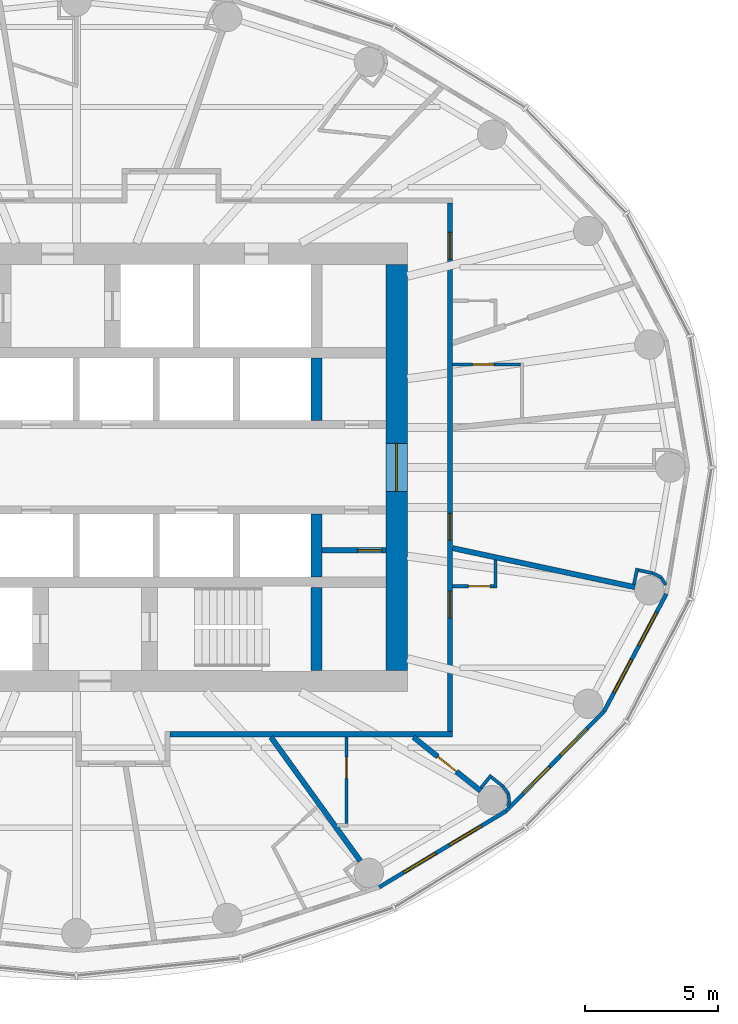
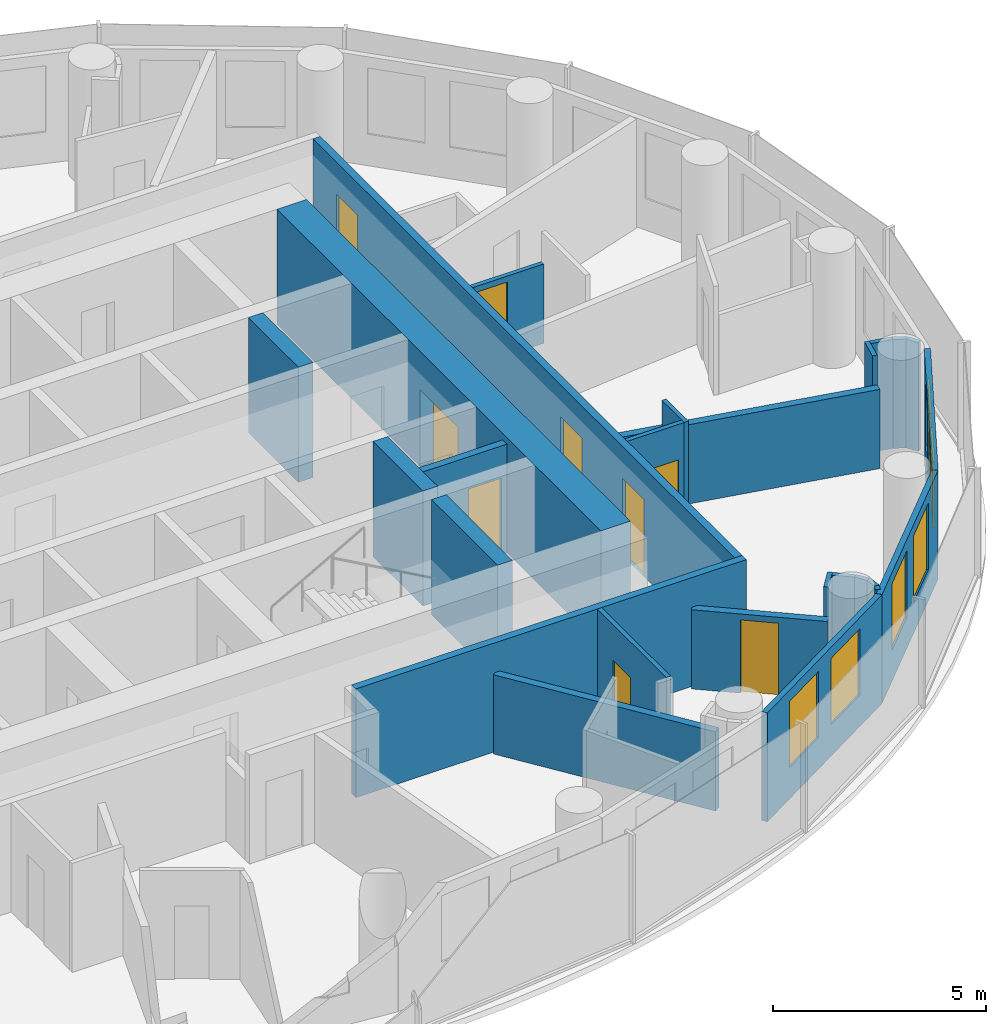
# One storey, part 10 of 14: 26 walls, 9 doors, 6 windows, 15 openings.
"""IFC4 building model written with IfcOpenShell, lengths in metres."""

import ifcopenshell
import ifcopenshell.guid

model = None  # the IFC model being written
_history = None  # IfcOwnerHistory: only IFC2X3 demands one
_inside = {}  # id of a spatial element -> (the spatial element, [elements in it])
_under = {}  # id of a project, library or spatial element -> (it, [spatial elements below it])
_declared = {}  # id of a project -> (the project, [libraries it declares])
_typed = {}  # id of a type object -> (the type object, [elements of that type])
_made_of = {}  # id of a material, layer set ... -> (it, [elements and type objects made of it])


def new_model(schema):
    """Start an empty IFC model of exactly this schema.

    Asked for "IFC4X3", IfcOpenShell would pick the latest addendum, in which some entities
    have other attributes; the version numbers below select the first issue.
    IFC2X3 requires an IfcOwnerHistory on every rooted entity: one is made here for all.
    """
    global model, _history
    if schema == "IFC4X3":
        model = ifcopenshell.file(schema_version=(4, 3, 0, 0))
    else:
        model = ifcopenshell.file(schema=schema)
    _inside.clear()
    _under.clear()
    _declared.clear()
    _typed.clear()
    _made_of.clear()
    _history = None
    if model.schema == "IFC2X3":
        org = make("IfcOrganization", Name="unknown")
        user = make(
            "IfcPersonAndOrganization",
            ThePerson=make("IfcPerson", FamilyName="unknown"),
            TheOrganization=org,
        )
        app = make(
            "IfcApplication",
            ApplicationDeveloper=org,
            Version="unknown",
            ApplicationFullName="unknown",
            ApplicationIdentifier="unknown",
        )
        _history = make(
            "IfcOwnerHistory",
            OwningUser=user,
            OwningApplication=app,
            ChangeAction="ADDED",
            CreationDate=0,
        )
    return model


def make(cls, **values):
    """One entity of the class cls with the attributes given. An attribute that is None is left unset."""
    return model.create_entity(
        cls, **{name: value for name, value in values.items() if value is not None}
    )


def rooted(cls, **values):
    """An entity with a GlobalId (a new one), such as an element, a storey or a relation."""
    return make(cls, GlobalId=ifcopenshell.guid.new(), OwnerHistory=_history, **values)


def si_unit(unit_type, name, prefix=None):
    """IfcSIUnit, for example si_unit("LENGTHUNIT", "METRE", prefix="MILLI")."""
    return make("IfcSIUnit", UnitType=unit_type, Prefix=prefix, Name=name)


def assignment(units):
    """IfcUnitAssignment: the units of a project."""
    return None if units is None else make("IfcUnitAssignment", Units=units)


def point(xyz):
    """IfcCartesianPoint."""
    return None if xyz is None else make("IfcCartesianPoint", Coordinates=xyz)


def direction(xyz):
    """IfcDirection."""
    return None if xyz is None else make("IfcDirection", DirectionRatios=xyz)


def frame(location, z_axis=None, x_axis=None):
    """IfcAxis2Placement3D, a coordinate frame: its origin and axes. An axis left out is left unset."""
    return make(
        "IfcAxis2Placement3D",
        Location=point(location),
        Axis=direction(z_axis),
        RefDirection=direction(x_axis),
    )


def frame_2d(location, x_axis=None):
    """IfcAxis2Placement2D, a coordinate frame in the plane: its origin and x axis."""
    return make(
        "IfcAxis2Placement2D", Location=point(location), RefDirection=direction(x_axis)
    )


def origin():
    """The frame at (0, 0, 0) with its axes left unset."""
    return frame((0.0, 0.0, 0.0))


def place(relative_to, where):
    """IfcLocalPlacement: puts the frame where relative to a parent placement (None: the world)."""
    return make(
        "IfcLocalPlacement", PlacementRelTo=relative_to, RelativePlacement=where
    )


def context(
    kind, dimensions, precision=None, world=None, true_north=None, identifier=None
):
    """IfcGeometricRepresentationContext, for example the 3D "Model" context."""
    return make(
        "IfcGeometricRepresentationContext",
        ContextIdentifier=identifier,
        ContextType=kind,
        CoordinateSpaceDimension=dimensions,
        Precision=precision,
        WorldCoordinateSystem=world,
        TrueNorth=true_north,
    )


def subcontext(parent, identifier, kind, view, scale=None):
    """IfcGeometricRepresentationSubContext, for example "Body" below "Model"."""
    return make(
        "IfcGeometricRepresentationSubContext",
        ContextIdentifier=identifier,
        ContextType=kind,
        ParentContext=parent,
        TargetScale=scale,
        TargetView=view,
    )


def project(units=None, contexts=None):
    """IfcProject with its units and contexts."""
    return rooted(
        "IfcProject",
        Name="project",
        RepresentationContexts=contexts,
        UnitsInContext=assignment(units),
    )


def spatial(cls, under=None, at=None, **own):
    """A site, building, storey or space (cls), placed at a placement, below another one or the project."""
    s = rooted(cls, ObjectPlacement=at, **own)
    if under is not None:
        _under.setdefault(under.id(), (under, []))[1].append(s)
    return s


def profile(cls, at=None, kind="AREA", **sizes):
    """A parametric profile (cls). Its sizes go by their IFC names, for example OverallWidth=200.0."""
    return make(cls, ProfileType=kind, Position=at, **sizes)


def rectangle(**sizes):
    """IfcRectangleProfileDef."""
    return profile("IfcRectangleProfileDef", **sizes)


def extrude(swept, where, along, depth):
    """IfcExtrudedAreaSolid: the profile swept, set in the frame where, extruded along a direction by depth."""
    return make(
        "IfcExtrudedAreaSolid",
        SweptArea=swept,
        Position=where,
        ExtrudedDirection=direction(along),
        Depth=depth,
    )


def shape(context_of_items, identifier, shape_type, items):
    """IfcShapeRepresentation: the items that make up one representation, for example the "Body"."""
    return make(
        "IfcShapeRepresentation",
        ContextOfItems=context_of_items,
        RepresentationIdentifier=identifier,
        RepresentationType=shape_type,
        Items=items,
    )


def material(Name=None, Category=None):
    """IfcMaterial."""
    return make("IfcMaterial", Name=Name, Category=Category)


def layer(
    of_material, thickness, ventilated=None, Name=None, Category=None, Priority=None
):
    """IfcMaterialLayer: one layer of a wall or slab, of a material (None: an air gap)."""
    return make(
        "IfcMaterialLayer",
        Material=of_material,
        LayerThickness=thickness,
        IsVentilated=ventilated,
        Name=Name,
        Category=Category,
        Priority=Priority,
    )


def layer_set(layers, Name=None):
    """IfcMaterialLayerSet."""
    return make("IfcMaterialLayerSet", MaterialLayers=layers, LayerSetName=Name)


def made_of(thing, what):
    """Note that an element or type object is made of a material, layer set ...; save() writes the relation."""
    if what is not None:
        _made_of.setdefault(what.id(), (what, []))[1].append(thing)
    return thing


def type_object(cls, material=None, **own):
    """A type object (cls), such as IfcWallType, which elements share."""
    return made_of(rooted(cls, **own), material)


def element(
    cls,
    number,
    at=None,
    inside=None,
    cuts=None,
    type_object=None,
    material=None,
    context=None,
    identifier="Body",
    shape_type=None,
    held_by="IfcProductDefinitionShape",
    body=None,
    shapes=None,
    **own,
):
    """One element of the class cls, such as IfcWall. Its Tag is "e" and its number.

    at: its placement. inside: the storey or other place that contains it. cuts: it is an
    opening in that element (IfcRelVoidsElement). A single representation is given by context,
    identifier, shape_type and body (its items); several are given by shapes. held_by: the class
    of the entity that holds the representations. save() writes the other relations.
    """
    e = rooted(cls, Tag="e%d" % number, ObjectPlacement=at, **own)
    if body is not None:
        shapes = [shape(context, identifier, shape_type, body)]
    if shapes is not None:
        e.Representation = make(held_by, Representations=shapes)
    if inside is not None:
        _inside.setdefault(inside.id(), (inside, []))[1].append(e)
    if cuts is not None:
        rooted(
            "IfcRelVoidsElement", RelatingBuildingElement=cuts, RelatedOpeningElement=e
        )
    if type_object is not None:
        _typed.setdefault(type_object.id(), (type_object, []))[1].append(e)
    return made_of(e, material)


def fill(opening, filler):
    """IfcRelFillsElement: the door or window that sits in an opening."""
    return rooted(
        "IfcRelFillsElement",
        RelatingOpeningElement=opening,
        RelatedBuildingElement=filler,
    )


def aggregate(whole, parts):
    """IfcRelAggregates: a whole, such as a stair, and the parts it consists of."""
    return rooted("IfcRelAggregates", RelatingObject=whole, RelatedObjects=parts)


def save(model, path):
    """Write the relations noted so far, then the file.

    IfcRelAggregates (storeys below a building ...), IfcRelContainedInSpatialStructure (elements
    in a storey), IfcRelDefinesByType, IfcRelAssociatesMaterial and IfcRelDeclares: one each for
    every whole, place, type object, material and project.
    """
    for whole, parts in _under.values():
        aggregate(whole, parts)
    for where, things in _inside.values():
        rooted(
            "IfcRelContainedInSpatialStructure",
            RelatedElements=things,
            RelatingStructure=where,
        )
    for kind, things in _typed.values():
        rooted("IfcRelDefinesByType", RelatedObjects=things, RelatingType=kind)
    for what, things in _made_of.values():
        rooted("IfcRelAssociatesMaterial", RelatedObjects=things, RelatingMaterial=what)
    for by, libraries in _declared.values():
        rooted("IfcRelDeclares", RelatingContext=by, RelatedDefinitions=libraries)
    model.write(path)


model = new_model("IFC4")

# Units and contexts
model_context = context("Model", 3, precision=1e-05, world=origin(), true_north=direction((0.0, 1.0)))
body_context = subcontext(model_context, "Body", "Model", "MODEL_VIEW")
ifc_project = project(units=[si_unit("LENGTHUNIT", "METRE"), si_unit("AREAUNIT", "SQUARE_METRE"), si_unit("VOLUMEUNIT", "CUBIC_METRE"), si_unit("PLANEANGLEUNIT", "RADIAN"), si_unit("MASSUNIT", "GRAM", prefix="KILO")], contexts=[model_context])

# Site, building, storey
site_placement = place(None, origin())
site = spatial("IfcSite", under=ifc_project, at=site_placement, CompositionType="ELEMENT")
building_placement = place(site_placement, origin())
building = spatial("IfcBuilding", under=site, at=building_placement, Name="Hankou Lantern Tower", CompositionType="ELEMENT")
storey_placement = place(building_placement, frame((0.0, 0.0, 179.699951171875)))
storey = spatial("IfcBuildingStorey", under=building, at=storey_placement, Name="L48", CompositionType="ELEMENT", Elevation=179.699951171875)

# Wall, opening, door
ifc_material_1 = material(Name="Concrete C60", Category="concrete")
ifc_layer_1 = layer(ifc_material_1, 0.800048828125)
ifc_layer_set_1 = layer_set([ifc_layer_1], Name="Concrete C60")
wall_type_1 = type_object("IfcWallType", Name="CW2 CORE WALL 800", PredefinedType="SHEAR", material=ifc_layer_set_1)
wall_1_placement = place(storey_placement, frame((12.0, -7.60009765625, 0.0), z_axis=(0.0, 0.0, 1.0), x_axis=(0.0, 1.0, 0.0)))
wall_1 = element("IfcWall", 1, at=wall_1_placement, inside=storey, type_object=wall_type_1, Name="Core wall east L48", PredefinedType="SHEAR", context=body_context, shape_type="SweptSolid", body=[
    extrude(rectangle(XDim=15.2001953125, YDim=0.800048828125, at=frame_2d((7.60009765625, 0.0))), origin(), (0.0, 0.0, 1.0), 3.300048828125),
])
opening_1_placement = place(wall_1_placement, frame((6.699951171875, 0.0, 0.0)))
opening_1 = element("IfcOpeningElement", 2, at=opening_1_placement, cuts=wall_1, Name="Opening D6", PredefinedType="OPENING", context=body_context, shape_type="SweptSolid", body=[
    extrude(rectangle(XDim=1.800048828125, YDim=2.199951171875, at=frame_2d((0.89990234375, 1.10009765625))), frame((0.0, 0.409912109375, 0.0), z_axis=(0.0, -1.0, 0.0), x_axis=(1.0, 0.0, 0.0)), (0.0, 0.0, 1.0), 0.820068359375),
])
ifc_material_2 = material(Name="Steel door leaf", Category="steel")
door_type_1 = type_object("IfcDoorType", Name="D6 LIFT LOBBY DOOR 1800X2200", OperationType="DOUBLE_DOOR_DOUBLE_SWING", PredefinedType="DOOR", material=ifc_material_2)
door_1_placement = place(opening_1_placement, origin())
door_1 = element("IfcDoor", 3, at=door_1_placement, inside=storey, type_object=door_type_1, Name="Lift lobby east door", OperationType="DOUBLE_DOOR_DOUBLE_SWING", OverallHeight=2.199951171875, OverallWidth=1.800048828125, PredefinedType="DOOR", context=body_context, shape_type="SweptSolid", body=[
    extrude(rectangle(XDim=1.800048828125, YDim=2.199951171875, at=frame_2d((0.89990234375, 1.10009765625))), frame((0.0, 0.02490234375, 0.0), z_axis=(0.0, -1.0, 0.0), x_axis=(1.0, 0.0, 0.0)), (0.0, 0.0, 1.0), 0.050048828125),
])
fill(opening_1, door_1)

# Walls
ifc_material_3 = material(Name="Concrete C60", Category="concrete")
ifc_layer_2 = layer(ifc_material_3, 0.39990234375)
ifc_layer_set_2 = layer_set([ifc_layer_2], Name="Concrete C60")
wall_type_2 = type_object("IfcWallType", Name="CW4 CORE CROSS WALL 400", PredefinedType="SHEAR", material=ifc_layer_set_2)
for number, where, z_axis, x_axis, name in (
    (4, (9.0, 1.75, 0.0), (0.0, 0.0, 1.0), (0.0, 1.0, 0.0), "Core strip wall L48"),
    (5, (9.0, -4.10009765625, 0.0), (0.0, 0.0, 1.0), (0.0, 1.0, 0.0), "Core strip wall L48"),
):
    element("IfcWall", number, at=place(storey_placement, frame(where, z_axis=z_axis, x_axis=x_axis)), inside=storey, type_object=wall_type_2, Name=name, PredefinedType="SHEAR", context=body_context, shape_type="SweptSolid", body=[
        extrude(rectangle(XDim=2.35009765625, YDim=0.39990234375, at=frame_2d((1.175048828125, 0.0))), origin(), (0.0, 0.0, 1.0), 3.300048828125),
    ])
wall_2_placement = place(storey_placement, frame((9.0, -7.60009765625, 0.0), z_axis=(0.0, 0.0, 1.0), x_axis=(0.0, 1.0, 0.0)))
element("IfcWall", 6, at=wall_2_placement, inside=storey, type_object=wall_type_2, Name="Core strip wall L48", PredefinedType="SHEAR", context=body_context, shape_type="SweptSolid", body=[
    extrude(rectangle(XDim=3.10009765625, YDim=0.39990234375, at=frame_2d((1.550048828125, 0.0))), origin(), (0.0, 0.0, 1.0), 3.300048828125),
])

# Wall, openings, windows
ifc_material_4 = material(Name="Aluminium spandrel panel on steel studs", Category="steel")
ifc_layer_3 = layer(ifc_material_4, 0.14990234375)
ifc_layer_set_3 = layer_set([ifc_layer_3], Name="Aluminium spandrel panel on steel studs")
wall_type_3 = type_object("IfcWallType", Name="EW1 INNER SKIN WALL 150", PredefinedType="ELEMENTEDWALL", material=ifc_layer_set_3)
wall_3_placement = place(storey_placement, frame((11.346435546875, -15.72216796875, 0.0), z_axis=(0.0, 0.0, 1.0), x_axis=(0.857695199231, 0.514158482587, 0.0)))
wall_3 = element("IfcWall", 7, at=wall_3_placement, inside=storey, type_object=wall_type_3, Name="Inner skin R21-R22 L48", PredefinedType="ELEMENTEDWALL", context=body_context, shape_type="SweptSolid", body=[
    extrude(rectangle(XDim=5.5361328125, YDim=0.14990234375, at=frame_2d((2.76806640625, 0.0))), origin(), (0.0, 0.0, 1.0), 3.1201171875),
])
opening_2_placement = place(wall_3_placement, frame((1.068115234375, 0.0, 0.89990234375)))
opening_2 = element("IfcOpeningElement", 8, at=opening_2_placement, cuts=wall_3, Name="Opening W3", PredefinedType="OPENING", context=body_context, shape_type="SweptSolid", body=[
    extrude(rectangle(XDim=1.39990234375, YDim=1.89990234375, at=frame_2d((0.699951171875, 0.949951171875))), frame((0.0, 0.0849609375, 0.0), z_axis=(0.0, -1.0, 0.0), x_axis=(1.0, 0.0, 0.0)), (0.0, 0.0, 1.0), 0.169921875),
])
opening_3_placement = place(wall_3_placement, frame((3.068115234375, 0.0, 0.89990234375)))
opening_3 = element("IfcOpeningElement", 9, at=opening_3_placement, cuts=wall_3, Name="Opening W3", PredefinedType="OPENING", context=body_context, shape_type="SweptSolid", body=[
    extrude(rectangle(XDim=1.39990234375, YDim=1.89990234375, at=frame_2d((0.699951171875, 0.949951171875))), frame((0.0, 0.0849609375, 0.0), z_axis=(0.0, -1.0, 0.0), x_axis=(1.0, 0.0, 0.0)), (0.0, 0.0, 1.0), 0.169921875),
])
ifc_material_5 = material(Name="Aluminium framed double glazed window", Category="aluminium")
window_type = type_object("IfcWindowType", Name="W3 GUEST ROOM WINDOW 1400X1900", PartitioningType="DOUBLE_PANEL_VERTICAL", PredefinedType="WINDOW", material=ifc_material_5)
window_1_placement = place(opening_2_placement, origin())
window_1 = element("IfcWindow", 10, at=window_1_placement, inside=storey, type_object=window_type, Name="Window R21.1 L48", OverallHeight=1.89990234375, OverallWidth=1.39990234375, PartitioningType="SINGLE_PANEL", PredefinedType="WINDOW", context=body_context, shape_type="SweptSolid", body=[
    extrude(rectangle(XDim=1.39990234375, YDim=1.89990234375, at=frame_2d((0.699951171875, 0.949951171875))), frame((0.0, 0.030029296875, 0.0), z_axis=(0.0, -1.0, 0.0), x_axis=(1.0, 0.0, 0.0)), (0.0, 0.0, 1.0), 0.06005859375),
])
fill(opening_2, window_1)
window_2_placement = place(opening_3_placement, origin())
window_2 = element("IfcWindow", 11, at=window_2_placement, inside=storey, type_object=window_type, Name="Window R21.2 L48", OverallHeight=1.89990234375, OverallWidth=1.39990234375, PartitioningType="SINGLE_PANEL", PredefinedType="WINDOW", context=body_context, shape_type="SweptSolid", body=[
    extrude(rectangle(XDim=1.39990234375, YDim=1.89990234375, at=frame_2d((0.699951171875, 0.949951171875))), frame((0.0, 0.030029296875, 0.0), z_axis=(0.0, -1.0, 0.0), x_axis=(1.0, 0.0, 0.0)), (0.0, 0.0, 1.0), 0.06005859375),
])
fill(opening_3, window_2)

wall_4_placement = place(storey_placement, frame((16.0947265625, -12.875732421875, 0.0), z_axis=(0.0, 0.0, 1.0), x_axis=(0.700727467776, 0.71342905457, 0.0)))
wall_4 = element("IfcWall", 12, at=wall_4_placement, inside=storey, type_object=wall_type_3, Name="Inner skin R22-R23 L48", PredefinedType="ELEMENTEDWALL", context=body_context, shape_type="SweptSolid", body=[
    extrude(rectangle(XDim=5.247314453125, YDim=0.14990234375, at=frame_2d((2.62353515625, 0.0))), origin(), (0.0, 0.0, 1.0), 3.1201171875),
])
opening_4_placement = place(wall_4_placement, frame((0.923583984375, 0.0, 0.89990234375)))
opening_4 = element("IfcOpeningElement", 13, at=opening_4_placement, cuts=wall_4, Name="Opening W3", PredefinedType="OPENING", context=body_context, shape_type="SweptSolid", body=[
    extrude(rectangle(XDim=1.39990234375, YDim=1.89990234375, at=frame_2d((0.699951171875, 0.949951171875))), frame((0.0, 0.0849609375, 0.0), z_axis=(0.0, -1.0, 0.0), x_axis=(1.0, 0.0, 0.0)), (0.0, 0.0, 1.0), 0.169921875),
])
opening_5_placement = place(wall_4_placement, frame((2.923583984375, 0.0, 0.89990234375)))
opening_5 = element("IfcOpeningElement", 14, at=opening_5_placement, cuts=wall_4, Name="Opening W3", PredefinedType="OPENING", context=body_context, shape_type="SweptSolid", body=[
    extrude(rectangle(XDim=1.39990234375, YDim=1.89990234375, at=frame_2d((0.699951171875, 0.949951171875))), frame((0.0, 0.0849609375, 0.0), z_axis=(0.0, -1.0, 0.0), x_axis=(1.0, 0.0, 0.0)), (0.0, 0.0, 1.0), 0.169921875),
])
window_3_placement = place(opening_4_placement, origin())
window_3 = element("IfcWindow", 15, at=window_3_placement, inside=storey, type_object=window_type, Name="Window R22.1 L48", OverallHeight=1.89990234375, OverallWidth=1.39990234375, PartitioningType="SINGLE_PANEL", PredefinedType="WINDOW", context=body_context, shape_type="SweptSolid", body=[
    extrude(rectangle(XDim=1.39990234375, YDim=1.89990234375, at=frame_2d((0.699951171875, 0.949951171875))), frame((0.0, 0.030029296875, 0.0), z_axis=(0.0, -1.0, 0.0), x_axis=(1.0, 0.0, 0.0)), (0.0, 0.0, 1.0), 0.06005859375),
])
fill(opening_4, window_3)
window_4_placement = place(opening_5_placement, origin())
window_4 = element("IfcWindow", 16, at=window_4_placement, inside=storey, type_object=window_type, Name="Window R22.2 L48", OverallHeight=1.89990234375, OverallWidth=1.39990234375, PartitioningType="SINGLE_PANEL", PredefinedType="WINDOW", context=body_context, shape_type="SweptSolid", body=[
    extrude(rectangle(XDim=1.39990234375, YDim=1.89990234375, at=frame_2d((0.699951171875, 0.949951171875))), frame((0.0, 0.030029296875, 0.0), z_axis=(0.0, -1.0, 0.0), x_axis=(1.0, 0.0, 0.0)), (0.0, 0.0, 1.0), 0.06005859375),
])
fill(opening_5, window_4)

wall_5_placement = place(storey_placement, frame((19.771728515625, -9.132080078125, 0.0), z_axis=(0.0, 0.0, 1.0), x_axis=(0.468428906714, 0.883501193748, 0.0)))
wall_5 = element("IfcWall", 17, at=wall_5_placement, inside=storey, type_object=wall_type_3, Name="Inner skin R23-R24 L48", PredefinedType="ELEMENTEDWALL", context=body_context, shape_type="SweptSolid", body=[
    extrude(rectangle(XDim=4.9736328125, YDim=0.14990234375, at=frame_2d((2.48681640625, 0.0))), origin(), (0.0, 0.0, 1.0), 3.1201171875),
])
opening_6_placement = place(wall_5_placement, frame((0.786865234375, 0.0, 0.89990234375)))
opening_6 = element("IfcOpeningElement", 18, at=opening_6_placement, cuts=wall_5, Name="Opening W3", PredefinedType="OPENING", context=body_context, shape_type="SweptSolid", body=[
    extrude(rectangle(XDim=1.39990234375, YDim=1.89990234375, at=frame_2d((0.699951171875, 0.949951171875))), frame((0.0, 0.0849609375, 0.0), z_axis=(0.0, -1.0, 0.0), x_axis=(1.0, 0.0, 0.0)), (0.0, 0.0, 1.0), 0.169921875),
])
opening_7_placement = place(wall_5_placement, frame((2.786865234375, 0.0, 0.89990234375)))
opening_7 = element("IfcOpeningElement", 19, at=opening_7_placement, cuts=wall_5, Name="Opening W3", PredefinedType="OPENING", context=body_context, shape_type="SweptSolid", body=[
    extrude(rectangle(XDim=1.39990234375, YDim=1.89990234375, at=frame_2d((0.699951171875, 0.949951171875))), frame((0.0, 0.0849609375, 0.0), z_axis=(0.0, -1.0, 0.0), x_axis=(1.0, 0.0, 0.0)), (0.0, 0.0, 1.0), 0.169921875),
])
window_5_placement = place(opening_6_placement, origin())
window_5 = element("IfcWindow", 20, at=window_5_placement, inside=storey, type_object=window_type, Name="Window R23.1 L48", OverallHeight=1.89990234375, OverallWidth=1.39990234375, PartitioningType="SINGLE_PANEL", PredefinedType="WINDOW", context=body_context, shape_type="SweptSolid", body=[
    extrude(rectangle(XDim=1.39990234375, YDim=1.89990234375, at=frame_2d((0.699951171875, 0.949951171875))), frame((0.0, 0.030029296875, 0.0), z_axis=(0.0, -1.0, 0.0), x_axis=(1.0, 0.0, 0.0)), (0.0, 0.0, 1.0), 0.06005859375),
])
fill(opening_6, window_5)
window_6_placement = place(opening_7_placement, origin())
window_6 = element("IfcWindow", 21, at=window_6_placement, inside=storey, type_object=window_type, Name="Window R23.2 L48", OverallHeight=1.89990234375, OverallWidth=1.39990234375, PartitioningType="SINGLE_PANEL", PredefinedType="WINDOW", context=body_context, shape_type="SweptSolid", body=[
    extrude(rectangle(XDim=1.39990234375, YDim=1.89990234375, at=frame_2d((0.699951171875, 0.949951171875))), frame((0.0, 0.030029296875, 0.0), z_axis=(0.0, -1.0, 0.0), x_axis=(1.0, 0.0, 0.0)), (0.0, 0.0, 1.0), 0.06005859375),
])
fill(opening_7, window_6)

# Walls
ifc_material_6 = material(Name="Masonry lightweight concrete block", Category="masonry")
ifc_layer_4 = layer(ifc_material_6, 0.199951171875)
ifc_layer_set_4 = layer_set([ifc_layer_4], Name="Masonry lightweight concrete block")
wall_type_4 = type_object("IfcWallType", Name="IW1 GUEST ROOM PARTY WALL 200", PredefinedType="PARTITIONING", material=ifc_layer_set_4)
wall_6_placement = place(storey_placement, frame((7.2890625, -10.10009765625, 0.0), z_axis=(0.0, 0.0, 1.0), x_axis=(0.585222595178, -0.810872686735, 0.0)))
element("IfcWall", 22, at=wall_6_placement, inside=storey, type_object=wall_type_4, Name="Party wall R21", PredefinedType="PARTITIONING", context=body_context, shape_type="SweptSolid", body=[
    extrude(rectangle(XDim=5.722412109375, YDim=0.199951171875, at=frame_2d((2.861328125, 0.0))), origin(), (0.0, 0.0, 1.0), 2.27001953125),
])
wall_7_placement = place(storey_placement, frame((14.10009765625, -3.0224609375, 0.0), z_axis=(0.0, 0.0, 1.0), x_axis=(0.977790639684, -0.209584028367, 0.0)))
element("IfcWall", 23, at=wall_7_placement, inside=storey, type_object=wall_type_4, Name="Party wall R24", PredefinedType="PARTITIONING", context=body_context, shape_type="SweptSolid", body=[
    extrude(rectangle(XDim=6.97998046875, YDim=0.199951171875, at=frame_2d((3.489990234375, 0.0))), origin(), (0.0, 0.0, 1.0), 2.27001953125),
])

# Wall, openings, doors
ifc_material_7 = material(Name="Masonry lightweight concrete block", Category="masonry")
ifc_layer_5 = layer(ifc_material_7, 0.199951171875)
ifc_layer_set_5 = layer_set([ifc_layer_5], Name="Masonry lightweight concrete block")
wall_type_5 = type_object("IfcWallType", Name="IW2 CORRIDOR WALL 200", PredefinedType="PARTITIONING", material=ifc_layer_set_5)
wall_8_placement = place(storey_placement, frame((14.0, -9.89990234375, 0.0), z_axis=(0.0, 0.0, 1.0), x_axis=(0.0, 1.0, 0.0)))
wall_8 = element("IfcWall", 24, at=wall_8_placement, inside=storey, type_object=wall_type_5, Name="Corridor wall east", PredefinedType="PARTITIONING", context=body_context, shape_type="SweptSolid", body=[
    extrude(rectangle(XDim=19.7998046875, YDim=0.199951171875, at=frame_2d((9.89990234375, 0.0))), origin(), (0.0, 0.0, 1.0), 3.1201171875),
])
opening_8_placement = place(wall_8_placement, frame((4.267578125, 0.0, 0.0)))
opening_8 = element("IfcOpeningElement", 25, at=opening_8_placement, cuts=wall_8, Name="Opening D2", PredefinedType="OPENING", context=body_context, shape_type="SweptSolid", body=[
    extrude(rectangle(XDim=1.0, YDim=2.199951171875, at=frame_2d((0.5, 1.10009765625))), frame((0.0, 0.10986328125, 0.0), z_axis=(0.0, -1.0, 0.0), x_axis=(1.0, 0.0, 0.0)), (0.0, 0.0, 1.0), 0.219970703125),
])
opening_9_placement = place(wall_8_placement, frame((7.177490234375, 0.0, 0.0)))
opening_9 = element("IfcOpeningElement", 26, at=opening_9_placement, cuts=wall_8, Name="Opening D1", PredefinedType="OPENING", context=body_context, shape_type="SweptSolid", body=[
    extrude(rectangle(XDim=1.0, YDim=2.199951171875, at=frame_2d((0.5, 1.10009765625))), frame((0.0, 0.10986328125, 0.0), z_axis=(0.0, -1.0, 0.0), x_axis=(1.0, 0.0, 0.0)), (0.0, 0.0, 1.0), 0.219970703125),
])
opening_10_placement = place(wall_8_placement, frame((17.701416015625, 0.0, 0.0)))
opening_10 = element("IfcOpeningElement", 27, at=opening_10_placement, cuts=wall_8, Name="Opening D2", PredefinedType="OPENING", context=body_context, shape_type="SweptSolid", body=[
    extrude(rectangle(XDim=1.0, YDim=2.199951171875, at=frame_2d((0.5, 1.10009765625))), frame((0.0, 0.10986328125, 0.0), z_axis=(0.0, -1.0, 0.0), x_axis=(1.0, 0.0, 0.0)), (0.0, 0.0, 1.0), 0.219970703125),
])
ifc_material_8 = material(Name="Steel door leaf", Category="steel")
door_type_2 = type_object("IfcDoorType", Name="D1 GUEST ROOM DOOR 1000X2200", OperationType="SINGLE_SWING_LEFT", PredefinedType="DOOR", material=ifc_material_8)
door_2_placement = place(opening_9_placement, origin())
door_2 = element("IfcDoor", 28, at=door_2_placement, inside=storey, type_object=door_type_2, Name="Guest room door 4806", OperationType="SINGLE_SWING_LEFT", OverallHeight=2.199951171875, OverallWidth=1.0, PredefinedType="DOOR", context=body_context, shape_type="SweptSolid", body=[
    extrude(rectangle(XDim=1.0, YDim=2.199951171875, at=frame_2d((0.5, 1.10009765625))), frame((0.0, 0.02490234375, 0.0), z_axis=(0.0, -1.0, 0.0), x_axis=(1.0, 0.0, 0.0)), (0.0, 0.0, 1.0), 0.050048828125),
])
fill(opening_9, door_2)
ifc_material_9 = material(Name="Steel door leaf", Category="steel")
door_type_3 = type_object("IfcDoorType", Name="D2 SUITE DOOR 1000X2200", OperationType="SINGLE_SWING_LEFT", PredefinedType="DOOR", material=ifc_material_9)
door_3_placement = place(opening_8_placement, origin())
door_3 = element("IfcDoor", 29, at=door_3_placement, inside=storey, type_object=door_type_3, Name="Suite door 4805C", OperationType="SINGLE_SWING_LEFT", OverallHeight=2.199951171875, OverallWidth=1.0, PredefinedType="DOOR", context=body_context, shape_type="SweptSolid", body=[
    extrude(rectangle(XDim=1.0, YDim=2.199951171875, at=frame_2d((0.5, 1.10009765625))), frame((0.0, 0.02490234375, 0.0), z_axis=(0.0, -1.0, 0.0), x_axis=(1.0, 0.0, 0.0)), (0.0, 0.0, 1.0), 0.050048828125),
])
fill(opening_8, door_3)
door_4_placement = place(opening_10_placement, origin())
door_4 = element("IfcDoor", 30, at=door_4_placement, inside=storey, type_object=door_type_3, Name="Suite door 4807C", OperationType="SINGLE_SWING_RIGHT", OverallHeight=2.199951171875, OverallWidth=1.0, PredefinedType="DOOR", context=body_context, shape_type="SweptSolid", body=[
    extrude(rectangle(XDim=1.0, YDim=2.199951171875, at=frame_2d((0.5, 1.10009765625))), frame((0.0, 0.02490234375, 0.0), z_axis=(0.0, -1.0, 0.0), x_axis=(1.0, 0.0, 0.0)), (0.0, 0.0, 1.0), 0.050048828125),
])
fill(opening_10, door_4)

# Wall
wall_9_placement = place(storey_placement, frame((14.10009765625, -10.0, 0.0), z_axis=(0.0, 0.0, 1.0), x_axis=(-1.0, 0.0, 0.0)))
element("IfcWall", 31, at=wall_9_placement, inside=storey, type_object=wall_type_5, Name="Corridor wall south", PredefinedType="PARTITIONING", context=body_context, shape_type="SweptSolid", body=[
    extrude(rectangle(XDim=10.58203125, YDim=0.199951171875, at=frame_2d((5.291015625, 0.0))), origin(), (0.0, 0.0, 1.0), 3.1201171875),
])

# Wall, opening, door
ifc_material_10 = material(Name="Masonry lightweight concrete block", Category="masonry")
ifc_layer_6 = layer(ifc_material_10, 0.1201171875)
ifc_layer_set_6 = layer_set([ifc_layer_6], Name="Masonry lightweight concrete block")
wall_type_6 = type_object("IfcWallType", Name="IW3 BATHROOM WALL 120", PredefinedType="PARTITIONING", material=ifc_layer_set_6)
wall_10_placement = place(storey_placement, frame((10.119140625, -10.10009765625, 0.0), z_axis=(0.0, 0.0, 1.0), x_axis=(0.0, -1.0, 0.0)))
wall_10 = element("IfcWall", 32, at=wall_10_placement, inside=storey, type_object=wall_type_6, Name="Box wall 4805A 1", PredefinedType="PARTITIONING", context=body_context, shape_type="SweptSolid", body=[
    extrude(rectangle(XDim=3.239990234375, YDim=0.1201171875, at=frame_2d((1.6201171875, 0.0))), origin(), (0.0, 0.0, 1.0), 3.1201171875),
])
opening_11_placement = place(wall_10_placement, frame((0.75, 0.0, 0.0)))
opening_11 = element("IfcOpeningElement", 33, at=opening_11_placement, cuts=wall_10, Name="Opening D3", PredefinedType="OPENING", context=body_context, shape_type="SweptSolid", body=[
    extrude(rectangle(XDim=0.800048828125, YDim=2.10009765625, at=frame_2d((0.39990234375, 1.050048828125))), frame((0.0, 0.070068359375, 0.0), z_axis=(0.0, -1.0, 0.0), x_axis=(1.0, 0.0, 0.0)), (0.0, 0.0, 1.0), 0.14013671875),
])
ifc_material_11 = material(Name="Timber door leaf", Category="wood")
door_type_4 = type_object("IfcDoorType", Name="D3 BATHROOM DOOR 800X2100", OperationType="SINGLE_SWING_LEFT", PredefinedType="DOOR", material=ifc_material_11)
door_5_placement = place(opening_11_placement, origin())
door_5 = element("IfcDoor", 34, at=door_5_placement, inside=storey, type_object=door_type_4, Name="Corner suite 4805 bathroom door", OperationType="SINGLE_SWING_LEFT", OverallHeight=2.10009765625, OverallWidth=0.800048828125, PredefinedType="DOOR", context=body_context, shape_type="SweptSolid", body=[
    extrude(rectangle(XDim=0.800048828125, YDim=2.10009765625, at=frame_2d((0.39990234375, 1.050048828125))), frame((0.0, 0.02490234375, 0.0), z_axis=(0.0, -1.0, 0.0), x_axis=(1.0, 0.0, 0.0)), (0.0, 0.0, 1.0), 0.050048828125),
])
fill(opening_11, door_5)

# Wall
wall_11_placement = place(storey_placement, frame((15.699951171875, -3.46533203125, 0.0), z_axis=(0.0, 0.0, 1.0), x_axis=(0.0, -1.0, 0.0)))
element("IfcWall", 35, at=wall_11_placement, inside=storey, type_object=wall_type_6, Name="Box wall 4805C 1", PredefinedType="PARTITIONING", context=body_context, shape_type="SweptSolid", body=[
    extrude(rectangle(XDim=1.047119140625, YDim=0.1201171875, at=frame_2d((0.5234375, 0.0))), origin(), (0.0, 0.0, 1.0), 3.1201171875),
])

# Wall, opening, door
wall_12_placement = place(storey_placement, frame((14.10009765625, -4.452392578125, 0.0), z_axis=(0.0, 0.0, 1.0), x_axis=(1.0, 0.0, 0.0)))
wall_12 = element("IfcWall", 36, at=wall_12_placement, inside=storey, type_object=wall_type_6, Name="Box wall 4805C 1", PredefinedType="PARTITIONING", context=body_context, shape_type="SweptSolid", body=[
    extrude(rectangle(XDim=1.539794921875, YDim=0.1201171875, at=frame_2d((0.77001953125, 0.0))), origin(), (0.0, 0.0, 1.0), 3.1201171875),
])
opening_12_placement = place(wall_12_placement, frame((0.590087890625, 0.0, 0.0)))
opening_12 = element("IfcOpeningElement", 37, at=opening_12_placement, cuts=wall_12, Name="Opening D3", PredefinedType="OPENING", context=body_context, shape_type="SweptSolid", body=[
    extrude(rectangle(XDim=0.800048828125, YDim=2.10009765625, at=frame_2d((0.39990234375, 1.050048828125))), frame((0.0, 0.070068359375, 0.0), z_axis=(0.0, -1.0, 0.0), x_axis=(1.0, 0.0, 0.0)), (0.0, 0.0, 1.0), 0.14013671875),
])
door_6_placement = place(opening_12_placement, origin())
door_6 = element("IfcDoor", 38, at=door_6_placement, inside=storey, type_object=door_type_4, Name="Corner suite 4805 guest WC door", OperationType="SINGLE_SWING_RIGHT", OverallHeight=2.10009765625, OverallWidth=0.800048828125, PredefinedType="DOOR", context=body_context, shape_type="SweptSolid", body=[
    extrude(rectangle(XDim=0.800048828125, YDim=2.10009765625, at=frame_2d((0.39990234375, 1.050048828125))), frame((0.0, 0.02490234375, 0.0), z_axis=(0.0, -1.0, 0.0), x_axis=(1.0, 0.0, 0.0)), (0.0, 0.0, 1.0), 0.050048828125),
])
fill(opening_12, door_6)

wall_13_placement = place(storey_placement, frame((14.10009765625, 3.861572265625, 0.0), z_axis=(0.0, 0.0, 1.0), x_axis=(1.0, 0.0, 0.0)))
wall_13 = element("IfcWall", 39, at=wall_13_placement, inside=storey, type_object=wall_type_6, Name="Box wall 4807A 1", PredefinedType="PARTITIONING", context=body_context, shape_type="SweptSolid", body=[
    extrude(rectangle(XDim=2.539794921875, YDim=0.1201171875, at=frame_2d((1.27001953125, 0.0))), origin(), (0.0, 0.0, 1.0), 2.27001953125),
])
opening_13_placement = place(wall_13_placement, frame((0.75, 0.0, 0.0)))
opening_13 = element("IfcOpeningElement", 40, at=opening_13_placement, cuts=wall_13, Name="Opening D3", PredefinedType="OPENING", context=body_context, shape_type="SweptSolid", body=[
    extrude(rectangle(XDim=0.800048828125, YDim=2.10009765625, at=frame_2d((0.39990234375, 1.050048828125))), frame((0.0, 0.070068359375, 0.0), z_axis=(0.0, -1.0, 0.0), x_axis=(1.0, 0.0, 0.0)), (0.0, 0.0, 1.0), 0.14013671875),
])
door_7_placement = place(opening_13_placement, origin())
door_7 = element("IfcDoor", 41, at=door_7_placement, inside=storey, type_object=door_type_4, Name="Corner suite 4807 bathroom door", OperationType="SINGLE_SWING_LEFT", OverallHeight=2.10009765625, OverallWidth=0.800048828125, PredefinedType="DOOR", context=body_context, shape_type="SweptSolid", body=[
    extrude(rectangle(XDim=0.800048828125, YDim=2.10009765625, at=frame_2d((0.39990234375, 1.050048828125))), frame((0.0, 0.02490234375, 0.0), z_axis=(0.0, -1.0, 0.0), x_axis=(1.0, 0.0, 0.0)), (0.0, 0.0, 1.0), 0.050048828125),
])
fill(opening_13, door_7)

# Walls
ifc_material_12 = material(Name="Masonry lightweight concrete block", Category="masonry")
ifc_layer_7 = layer(ifc_material_12, 0.1201171875)
ifc_layer_set_7 = layer_set([ifc_layer_7], Name="Masonry lightweight concrete block")
wall_type_7 = type_object("IfcWallType", Name="IW4 PARTITION 120", PredefinedType="PARTITIONING", material=ifc_layer_set_7)
wall_14_placement = place(storey_placement, frame((15.162353515625, -12.001708984375, 0.0), z_axis=(0.0, 0.0, 1.0), x_axis=(0.624597762427, 0.780946627607, 0.0)))
element("IfcWall", 42, at=wall_14_placement, inside=storey, type_object=wall_type_7, Name="Column casing R22 return", PredefinedType="PARTITIONING", context=body_context, shape_type="SweptSolid", body=[
    extrude(rectangle(XDim=0.612060546875, YDim=0.1201171875, at=frame_2d((0.30615234375, 0.0))), origin(), (0.0, 0.0, 1.0), 3.1201171875),
])
wall_15_placement = place(storey_placement, frame((15.55419921875, -11.60791015625, 0.0), z_axis=(0.0, 0.0, 1.0), x_axis=(0.780695577787, -0.624911525597, 0.0)))
element("IfcWall", 43, at=wall_15_placement, inside=storey, type_object=wall_type_7, Name="Column casing R22", PredefinedType="PARTITIONING", context=body_context, shape_type="SweptSolid", body=[
    extrude(rectangle(XDim=0.550048828125, YDim=0.1201171875, at=frame_2d((0.27490234375, 0.0))), origin(), (0.0, 0.0, 1.0), 3.1201171875),
])
wall_16_placement = place(storey_placement, frame((15.983642578125, -11.95166015625, 0.0), z_axis=(0.0, 0.0, 1.0), x_axis=(0.592335221171, -0.805691619517, 0.0)))
element("IfcWall", 44, at=wall_16_placement, inside=storey, type_object=wall_type_7, Name="Column casing R22", PredefinedType="PARTITIONING", context=body_context, shape_type="SweptSolid", body=[
    extrude(rectangle(XDim=0.337646484375, YDim=0.1201171875, at=frame_2d((0.1689453125, 0.0))), origin(), (0.0, 0.0, 1.0), 3.1201171875),
])
wall_17_placement = place(storey_placement, frame((16.18359375, -12.2236328125, 0.0), z_axis=(0.0, 0.0, 1.0), x_axis=(0.110669692975, -0.993857242795, 0.0)))
element("IfcWall", 45, at=wall_17_placement, inside=storey, type_object=wall_type_7, Name="Column casing R22", PredefinedType="PARTITIONING", context=body_context, shape_type="SweptSolid", body=[
    extrude(rectangle(XDim=0.33740234375, YDim=0.1201171875, at=frame_2d((0.168701171875, 0.0))), origin(), (0.0, 0.0, 1.0), 3.1201171875),
])
wall_18_placement = place(storey_placement, frame((16.220947265625, -12.55908203125, 0.0), z_axis=(0.0, 0.0, 1.0), x_axis=(-0.401064416249, -0.916049853457, 0.0)))
element("IfcWall", 46, at=wall_18_placement, inside=storey, type_object=wall_type_7, Name="Column casing R22", PredefinedType="PARTITIONING", context=body_context, shape_type="SweptSolid", body=[
    extrude(rectangle(XDim=0.156494140625, YDim=0.1201171875, at=frame_2d((0.078125, 0.0))), origin(), (0.0, 0.0, 1.0), 3.1201171875),
])
wall_19_placement = place(storey_placement, frame((20.88720703125, -4.375, 0.0), z_axis=(0.0, 0.0, 1.0), x_axis=(0.209746941802, 0.977755705892, 0.0)))
element("IfcWall", 47, at=wall_19_placement, inside=storey, type_object=wall_type_7, Name="Column casing R24 return", PredefinedType="PARTITIONING", context=body_context, shape_type="SweptSolid", body=[
    extrude(rectangle(XDim=0.6123046875, YDim=0.1201171875, at=frame_2d((0.30615234375, 0.0))), origin(), (0.0, 0.0, 1.0), 3.1201171875),
])
wall_20_placement = place(storey_placement, frame((21.061767578125, -3.84765625, 0.0), z_axis=(0.0, 0.0, 1.0), x_axis=(0.977789415726, -0.209589738521, 0.0)))
element("IfcWall", 48, at=wall_20_placement, inside=storey, type_object=wall_type_7, Name="Column casing R24", PredefinedType="PARTITIONING", context=body_context, shape_type="SweptSolid", body=[
    extrude(rectangle(XDim=0.5498046875, YDim=0.1201171875, at=frame_2d((0.27490234375, 0.0))), origin(), (0.0, 0.0, 1.0), 3.1201171875),
])
wall_21_placement = place(storey_placement, frame((21.599365234375, -3.962890625, 0.0), z_axis=(0.0, 0.0, 1.0), x_axis=(0.890193602875, -0.455582428766, 0.0)))
element("IfcWall", 49, at=wall_21_placement, inside=storey, type_object=wall_type_7, Name="Column casing R24", PredefinedType="PARTITIONING", context=body_context, shape_type="SweptSolid", body=[
    extrude(rectangle(XDim=0.337646484375, YDim=0.1201171875, at=frame_2d((0.1689453125, 0.0))), origin(), (0.0, 0.0, 1.0), 3.1201171875),
])
wall_22_placement = place(storey_placement, frame((21.89990234375, -4.11669921875, 0.0), z_axis=(0.0, 0.0, 1.0), x_axis=(0.543582688681, -0.839355622228, 0.0)))
element("IfcWall", 50, at=wall_22_placement, inside=storey, type_object=wall_type_7, Name="Column casing R24", PredefinedType="PARTITIONING", context=body_context, shape_type="SweptSolid", body=[
    extrude(rectangle(XDim=0.3359375, YDim=0.1201171875, at=frame_2d((0.16796875, 0.0))), origin(), (0.0, 0.0, 1.0), 3.1201171875),
])

# Wall, opening, door
ifc_material_13 = material(Name="Masonry lightweight concrete block", Category="masonry")
ifc_layer_8 = layer(ifc_material_13, 0.199951171875)
ifc_layer_set_8 = layer_set([ifc_layer_8], Name="Masonry lightweight concrete block")
wall_type_8 = type_object("IfcWallType", Name="IW6 SUITE PARTITION 200", PredefinedType="PARTITIONING", material=ifc_layer_set_8)
wall_23_placement = place(storey_placement, frame((12.625, -10.10009765625, 0.0), z_axis=(0.0, 0.0, 1.0), x_axis=(0.780876185034, -0.624685827954, 0.0)))
wall_23 = element("IfcWall", 51, at=wall_23_placement, inside=storey, type_object=wall_type_8, Name="Suite partition R22", PredefinedType="PARTITIONING", context=body_context, shape_type="SweptSolid", body=[
    extrude(rectangle(XDim=3.229248046875, YDim=0.199951171875, at=frame_2d((1.61474609375, 0.0))), origin(), (0.0, 0.0, 1.0), 2.27001953125),
])
opening_14_placement = place(wall_23_placement, frame((1.169921875, 0.0, 0.0)))
opening_14 = element("IfcOpeningElement", 52, at=opening_14_placement, cuts=wall_23, Name="Opening D27", PredefinedType="OPENING", context=body_context, shape_type="SweptSolid", body=[
    extrude(rectangle(XDim=0.89990234375, YDim=2.10009765625, at=frame_2d((0.449951171875, 1.050048828125))), frame((0.0, 0.10986328125, 0.0), z_axis=(0.0, -1.0, 0.0), x_axis=(1.0, 0.0, 0.0)), (0.0, 0.0, 1.0), 0.219970703125),
])
ifc_material_14 = material(Name="Timber door leaf", Category="wood")
door_type_5 = type_object("IfcDoorType", Name="D27 INTERNAL DOOR 900X2100", OperationType="SINGLE_SWING_LEFT", PredefinedType="DOOR", material=ifc_material_14)
door_8_placement = place(opening_14_placement, origin())
door_8 = element("IfcDoor", 53, at=door_8_placement, inside=storey, type_object=door_type_5, Name="Corner suite 4805 living and dining room door", OperationType="SINGLE_SWING_LEFT", OverallHeight=2.10009765625, OverallWidth=0.89990234375, PredefinedType="DOOR", context=body_context, shape_type="SweptSolid", body=[
    extrude(rectangle(XDim=0.89990234375, YDim=2.10009765625, at=frame_2d((0.449951171875, 1.050048828125))), frame((0.0, 0.02490234375, 0.0), z_axis=(0.0, -1.0, 0.0), x_axis=(1.0, 0.0, 0.0)), (0.0, 0.0, 1.0), 0.050048828125),
])
fill(opening_14, door_8)

ifc_material_15 = material(Name="Masonry lightweight concrete block", Category="masonry")
ifc_layer_9 = layer(ifc_material_15, 0.199951171875)
ifc_layer_set_9 = layer_set([ifc_layer_9], Name="Masonry lightweight concrete block")
wall_type_9 = type_object("IfcWallType", Name="IW8 PARTITION 200", PredefinedType="PARTITIONING", material=ifc_layer_set_9)
wall_24_placement = place(storey_placement, frame((9.199951171875, -3.10009765625, 0.0), z_axis=(0.0, 0.0, 1.0), x_axis=(1.0, 0.0, 0.0)))
wall_24 = element("IfcWall", 54, at=wall_24_placement, inside=storey, type_object=wall_type_9, Name="Partition minibar store", PredefinedType="PARTITIONING", context=body_context, shape_type="SweptSolid", body=[
    extrude(rectangle(XDim=2.400146484375, YDim=0.199951171875, at=frame_2d((1.2001953125, 0.0))), origin(), (0.0, 0.0, 1.0), 3.1201171875),
])
opening_15_placement = place(wall_24_placement, frame((1.35009765625, 0.0, 0.0)))
opening_15 = element("IfcOpeningElement", 55, at=opening_15_placement, cuts=wall_24, Name="Opening D12", PredefinedType="OPENING", context=body_context, shape_type="SweptSolid", body=[
    extrude(rectangle(XDim=0.89990234375, YDim=2.199951171875, at=frame_2d((0.449951171875, 1.10009765625))), frame((0.0, 0.10986328125, 0.0), z_axis=(0.0, -1.0, 0.0), x_axis=(1.0, 0.0, 0.0)), (0.0, 0.0, 1.0), 0.219970703125),
])
ifc_material_16 = material(Name="Steel door leaf", Category="steel")
door_type_6 = type_object("IfcDoorType", Name="D12 STORE DOOR 900X2200", OperationType="SINGLE_SWING_LEFT", PredefinedType="DOOR", material=ifc_material_16)
door_9_placement = place(opening_15_placement, origin())
door_9 = element("IfcDoor", 56, at=door_9_placement, inside=storey, type_object=door_type_6, Name="Minibar stock cupboard door", OperationType="SINGLE_SWING_RIGHT", OverallHeight=2.199951171875, OverallWidth=0.89990234375, PredefinedType="DOOR", context=body_context, shape_type="SweptSolid", body=[
    extrude(rectangle(XDim=0.89990234375, YDim=2.199951171875, at=frame_2d((0.449951171875, 1.10009765625))), frame((0.0, 0.02490234375, 0.0), z_axis=(0.0, -1.0, 0.0), x_axis=(1.0, 0.0, 0.0)), (0.0, 0.0, 1.0), 0.050048828125),
])
fill(opening_15, door_9)

save(model, "model.ifc")
